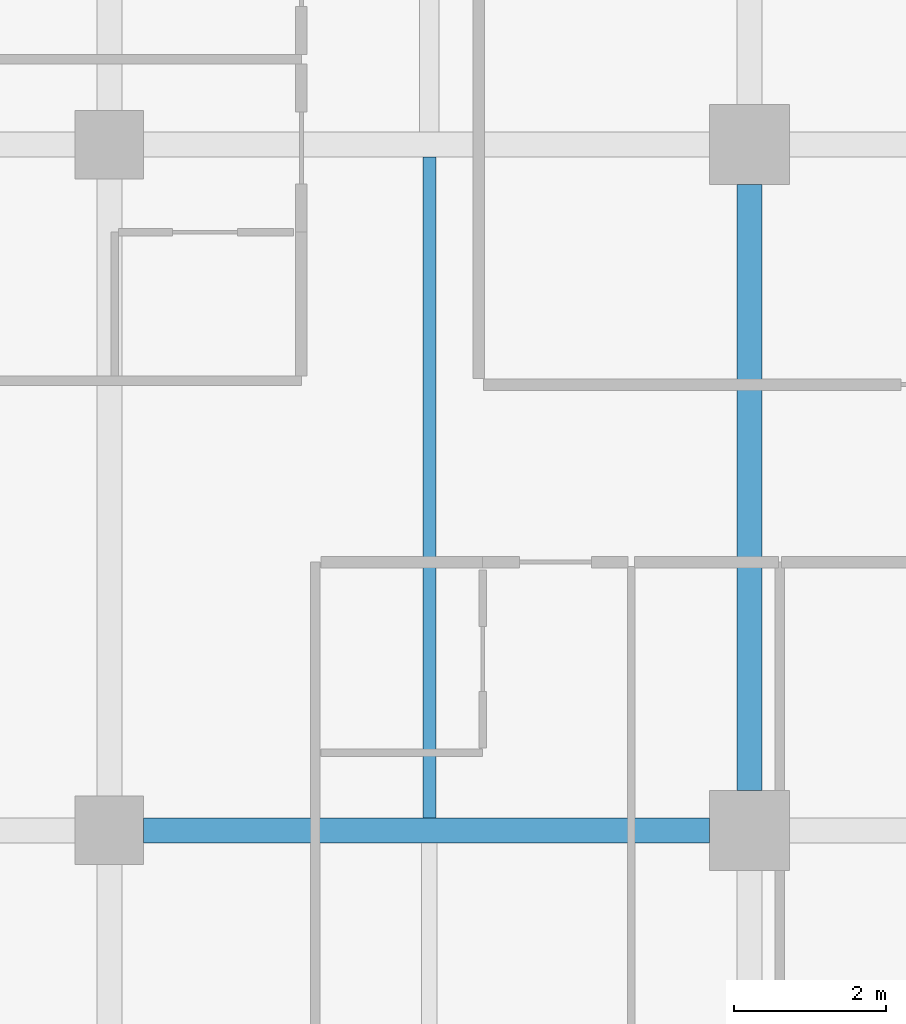
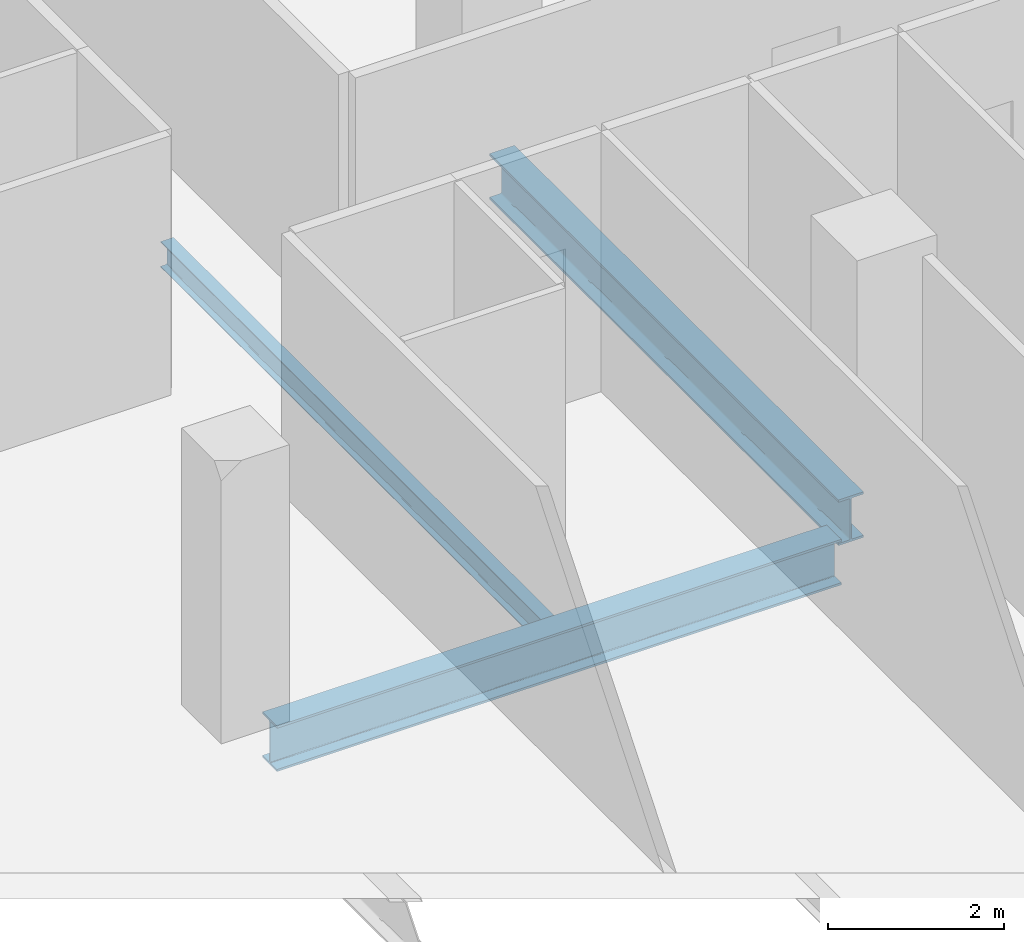
# One storey, part 6 of 40: 3 beams.
"""IFC4 building model written with IfcOpenShell, lengths in metres."""

from ifc_helpers import new_model, si_unit, direction, frame, origin, origin_2d, place, context, subcontext, project, spatial, i_section, extrude, material, material_profile, profile_set, type_object, element, save


model = new_model("IFC4")

# Units and contexts
model_context = context("Model", 3, precision=1e-05, world=origin(), true_north=direction((0.0, 1.0)))
body_context = subcontext(model_context, "Body", "Model", "MODEL_VIEW")
ifc_project = project(units=[si_unit("LENGTHUNIT", "METRE"), si_unit("AREAUNIT", "SQUARE_METRE"), si_unit("VOLUMEUNIT", "CUBIC_METRE"), si_unit("PLANEANGLEUNIT", "RADIAN"), si_unit("MASSUNIT", "GRAM", prefix="KILO")], contexts=[model_context])

# Site, building, storey
site_placement = place(None, origin())
site = spatial("IfcSite", under=ifc_project, at=site_placement, CompositionType="ELEMENT")
building_placement = place(site_placement, origin())
building = spatial("IfcBuilding", under=site, at=building_placement, Name="Maruvema Waterfront Hotel and Observation Tower", CompositionType="ELEMENT")
storey_placement = place(building_placement, frame((0.0, 0.0, 30.800048828125)))
storey = spatial("IfcBuildingStorey", under=building, at=storey_placement, Name="L06", CompositionType="ELEMENT", Elevation=30.800048828125)

# Beams
ifc_material_1 = material(Name="Steel ASTM A572 Grade 50", Category="steel")
ifc_material_profile_1 = material_profile(ifc_material_1, i_section(OverallWidth=0.3291015625, OverallDepth=0.635009765625, WebThickness=0.017822265625, FlangeThickness=0.031005859375, FilletRadius=0.01806640625, at=origin_2d()), Name="W610x241.0")
ifc_profile_set_1 = profile_set([ifc_material_profile_1], Name="Steel ASTM A572 Grade 50")
beam_type_1 = type_object("IfcBeamType", Name="Primary Floor Girder W610x241.0", PredefinedType="BEAM", material=ifc_profile_set_1)
beam_1_placement = place(storey_placement, frame((17.25, 9.0, -0.5576171875), z_axis=(1.0, 0.0, 0.0), x_axis=(0.0, 1.0, 0.0)))
element("IfcBeam", 1, at=beam_1_placement, inside=storey, type_object=beam_type_1, Name="L06 Floor Girder EW-07", PredefinedType="BEAM", context=body_context, shape_type="SweptSolid", body=[
    extrude(i_section(OverallWidth=0.3291015625, OverallDepth=0.635009765625, WebThickness=0.017822265625, FlangeThickness=0.031005859375, FilletRadius=0.01806640625, at=origin_2d()), origin(), (0.0, 0.0, 1.0), 7.425048828125),
])
beam_2_placement = place(storey_placement, frame((25.199951171875, 9.52490234375, -0.5576171875), z_axis=(0.0, 1.0, 0.0), x_axis=(-1.0, 0.0, 0.0)))
element("IfcBeam", 2, at=beam_2_placement, inside=storey, type_object=beam_type_1, Name="L06 Floor Girder NS-12", PredefinedType="BEAM", context=body_context, shape_type="SweptSolid", body=[
    extrude(i_section(OverallWidth=0.3291015625, OverallDepth=0.635009765625, WebThickness=0.017822265625, FlangeThickness=0.031005859375, FilletRadius=0.01806640625, at=origin_2d()), origin(), (0.0, 0.0, 1.0), 7.9501953125),
])
ifc_material_2 = material(Name="Steel ASTM A572 Grade 50", Category="steel")
ifc_material_profile_2 = material_profile(ifc_material_2, i_section(OverallWidth=0.1708984375, OverallDepth=0.35498046875, WebThickness=0.007080078125, FlangeThickness=0.01171875, FilletRadius=0.014892578125, at=origin_2d()), Name="W360x51.0")
ifc_profile_set_2 = profile_set([ifc_material_profile_2], Name="Steel ASTM A572 Grade 50")
beam_type_2 = type_object("IfcBeamType", Name="Secondary Floor Joist W360x51.0", PredefinedType="JOIST", material=ifc_profile_set_2)
beam_3_placement = place(storey_placement, frame((21.0, 9.16455078125, -0.41748046875), z_axis=(0.0, 1.0, 0.0), x_axis=(-1.0, 0.0, 0.0)))
element("IfcBeam", 3, at=beam_3_placement, inside=storey, type_object=beam_type_2, Name="L06 Secondary Floor Joist JS-06", PredefinedType="JOIST", context=body_context, shape_type="SweptSolid", body=[
    extrude(i_section(OverallWidth=0.1708984375, OverallDepth=0.35498046875, WebThickness=0.007080078125, FlangeThickness=0.01171875, FilletRadius=0.014892578125, at=origin_2d()), origin(), (0.0, 0.0, 1.0), 8.6708984375),
])

save(model, "model.ifc")
